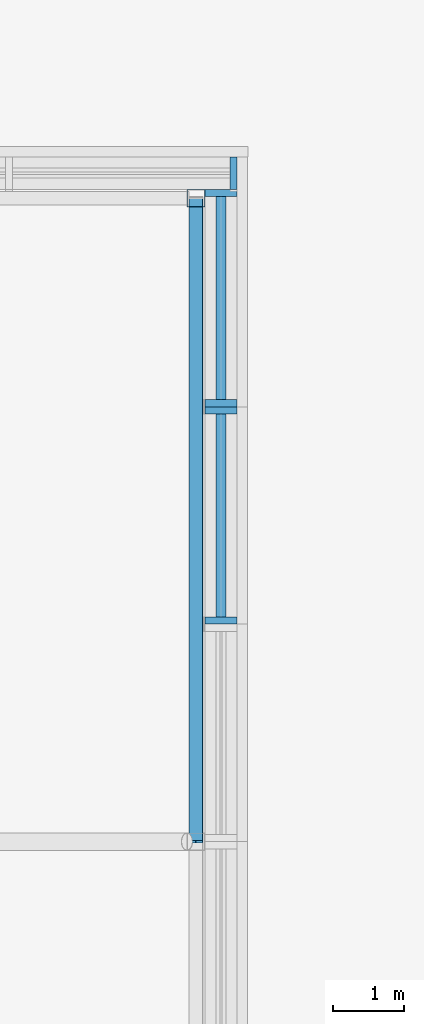
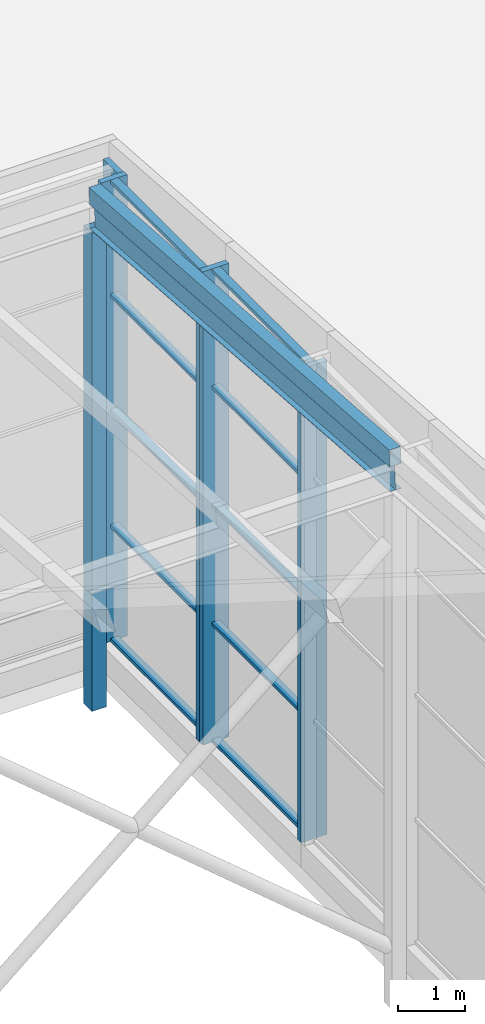
# One storey, part 48 of 84: 17 members, 1 beam, 3 elements without a shape of their own.
"""IFC4 building model written with IfcOpenShell, lengths in metres."""

from ifc_helpers import new_model, si_unit, direction, frame, origin, origin_2d, place, context, subcontext, project, spatial, rectangle, hollow_rectangle, i_section, extrude, material, material_profile, profile_set, type_object, element, aggregate, save


model = new_model("IFC4")

# Units and contexts
model_context = context("Model", 3, precision=1e-05, world=origin(), true_north=direction((0.0, 1.0)))
body_context = subcontext(model_context, "Body", "Model", "MODEL_VIEW")
ifc_project = project(units=[si_unit("LENGTHUNIT", "METRE"), si_unit("AREAUNIT", "SQUARE_METRE"), si_unit("VOLUMEUNIT", "CUBIC_METRE"), si_unit("PLANEANGLEUNIT", "RADIAN"), si_unit("MASSUNIT", "GRAM", prefix="KILO")], contexts=[model_context])

# Site, building, storey
site_placement = place(None, origin())
site = spatial("IfcSite", under=ifc_project, at=site_placement, CompositionType="ELEMENT")
building_placement = place(site_placement, origin())
building = spatial("IfcBuilding", under=site, at=building_placement, Name="Silverbay Arena", CompositionType="ELEMENT")
storey_placement = place(building_placement, frame((0.0, 0.0, 47.10009765625)))
storey = spatial("IfcBuildingStorey", under=building, at=storey_placement, Name="ROOF", CompositionType="ELEMENT", Elevation=47.10009765625)

# Curtain wall, member
ifc_material_1 = material(Name="Aluminium framed glazing", Category="aluminium")
curtain_wall_type_1 = type_object("IfcCurtainWallType", Name="Curtain wall crown 9575 x 8425", PredefinedType="NOTDEFINED", material=ifc_material_1)
curtain_wall_1_placement = place(storey_placement, origin())
curtain_wall_1 = element("IfcCurtainWall", 1, at=curtain_wall_1_placement, inside=storey, type_object=curtain_wall_type_1, Name="ROOF CROWN CURTAIN WALL north bay 11", PredefinedType="NOTDEFINED")
ifc_material_2 = material(Name="Aluminium", Category="aluminium")
ifc_material_profile_1 = material_profile(ifc_material_2, rectangle(XDim=0.449951171875, YDim=0.10009765625, at=origin_2d()), Name="Mullion 100 x 450")
ifc_profile_set_1 = profile_set([ifc_material_profile_1], Name="Aluminium")
member_type_1 = type_object("IfcMemberType", Name="Mullion 100 x 450", PredefinedType="MULLION", material=ifc_profile_set_1)
placement = place(building_placement, frame((0.0, 0.0, 33.5)))
member_1_placement = place(placement, frame((180.52490234375, 135.35009765625, 14.050048828125), z_axis=(0.0, 0.0, 1.0), x_axis=(0.0, 1.0, 0.0)))
member_1 = element("IfcMember", 2, at=member_1_placement, type_object=member_type_1, Name="CW61 mullion 4", PredefinedType="MULLION", context=body_context, shape_type="SweptSolid", body=[
    extrude(rectangle(XDim=0.449951171875, YDim=0.10009765625, at=origin_2d()), origin(), (0.0, 0.0, 1.0), 8.424560546875),
])
aggregate(curtain_wall_1, [member_1])

# Curtain wall, members
ifc_material_3 = material(Name="Aluminium framed glazing", Category="aluminium")
curtain_wall_type_2 = type_object("IfcCurtainWallType", Name="Curtain wall crown 3042 x 8661", PredefinedType="NOTDEFINED", material=ifc_material_3)
curtain_wall_2_placement = place(storey_placement, origin())
curtain_wall_2 = element("IfcCurtainWall", 3, at=curtain_wall_2_placement, inside=storey, type_object=curtain_wall_type_2, Name="ROOF CROWN CURTAIN WALL east bay 25", PredefinedType="NOTDEFINED")
member_2_placement = place(placement, frame((180.35009765625, 129.091552734375, 14.050048828125), z_axis=(0.0, 0.0, 1.0), x_axis=(-1.0, 0.0, 0.0)))
member_2 = element("IfcMember", 4, at=member_2_placement, type_object=member_type_1, Name="CW64 mullion 1", PredefinedType="MULLION", context=body_context, shape_type="SweptSolid", body=[
    extrude(rectangle(XDim=0.449951171875, YDim=0.10009765625, at=origin_2d()), origin(), (0.0, 0.0, 1.0), 8.66064453125),
])
member_3_placement = place(placement, frame((180.35009765625, 132.033447265625, 14.050048828125), z_axis=(0.0, 0.0, 1.0), x_axis=(-1.0, 0.0, 0.0)))
member_3 = element("IfcMember", 5, at=member_3_placement, type_object=member_type_1, Name="CW64 mullion 2", PredefinedType="MULLION", context=body_context, shape_type="SweptSolid", body=[
    extrude(rectangle(XDim=0.449951171875, YDim=0.10009765625, at=origin_2d()), origin(), (0.0, 0.0, 1.0), 8.66064453125),
])

ifc_material_4 = material(Name="Aluminium framed glazing", Category="aluminium")
curtain_wall_type_3 = type_object("IfcCurtainWallType", Name="Curtain wall crown 3042 x 8441", PredefinedType="NOTDEFINED", material=ifc_material_4)
curtain_wall_3_placement = place(storey_placement, origin())
curtain_wall_3 = element("IfcCurtainWall", 6, at=curtain_wall_3_placement, inside=storey, type_object=curtain_wall_type_3, Name="ROOF CROWN CURTAIN WALL east bay 26", PredefinedType="NOTDEFINED")
member_4_placement = place(placement, frame((180.35009765625, 132.13330078125, 14.050048828125), z_axis=(0.0, 0.0, 1.0), x_axis=(-1.0, 0.0, 0.0)))
member_4 = element("IfcMember", 7, at=member_4_placement, type_object=member_type_1, Name="CW63 mullion 1", PredefinedType="MULLION", context=body_context, shape_type="SweptSolid", body=[
    extrude(rectangle(XDim=0.449951171875, YDim=0.10009765625, at=origin_2d()), origin(), (0.0, 0.0, 1.0), 8.44091796875),
])
member_5_placement = place(placement, frame((180.35009765625, 135.074951171875, 14.050048828125), z_axis=(0.0, 0.0, 1.0), x_axis=(-1.0, 0.0, 0.0)))
member_5 = element("IfcMember", 8, at=member_5_placement, type_object=member_type_1, Name="CW63 mullion 2", PredefinedType="MULLION", context=body_context, shape_type="SweptSolid", body=[
    extrude(rectangle(XDim=0.449951171875, YDim=0.10009765625, at=origin_2d()), origin(), (0.0, 0.0, 1.0), 8.44091796875),
])

# Member
ifc_material_5 = material(Name="Steel S355", Category="steel")
ifc_material_profile_2 = material_profile(ifc_material_5, hollow_rectangle(XDim=0.199951171875, YDim=0.300048828125, WallThickness=0.008056640625, at=origin_2d()), Name="RHS 300x200x8")
ifc_profile_set_2 = profile_set([ifc_material_profile_2], Name="Steel S355")
member_type_2 = type_object("IfcMemberType", Name="Purlin RHS 300x200x8", PredefinedType="PURLIN", material=ifc_profile_set_2)
member_6_placement = place(storey_placement, frame((180.0, 126.0, 9.3994140625), z_axis=(0.0, 0.997402911363, -0.072023832195), x_axis=(-1.0, 0.0, 0.0)))
element("IfcMember", 9, at=member_6_placement, inside=storey, type_object=member_type_2, Name="ROOF PURLIN crown line 34 bay 12", PredefinedType="PURLIN", context=body_context, shape_type="SweptSolid", body=[
    extrude(hollow_rectangle(XDim=0.199951171875, YDim=0.300048828125, WallThickness=0.008056640625, at=origin_2d()), origin(), (0.0, 0.0, 1.0), 9.0234375),
])

# Beam
ifc_material_6 = material(Name="Steel S355", Category="steel")
ifc_material_profile_3 = material_profile(ifc_material_6, i_section(OverallWidth=0.18994140625, OverallDepth=0.453369140625, WebThickness=0.008544921875, FlangeThickness=0.0126953125, at=origin_2d()), Name="UB 457x191x67")
ifc_profile_set_3 = profile_set([ifc_material_profile_3], Name="Steel S355")
beam_type = type_object("IfcBeamType", Name="Ring beam UB 457x191x67", PredefinedType="BEAM", material=ifc_profile_set_3)
beam_placement = place(storey_placement, frame((180.0, 126.0, 9.0224609375), z_axis=(0.0, 0.997400967367, -0.07205074805), x_axis=(-1.0, 0.0, 0.0)))
element("IfcBeam", 10, at=beam_placement, inside=storey, type_object=beam_type, Name="RING BEAM crown east edge 12", PredefinedType="BEAM", context=body_context, shape_type="SweptSolid", body=[
    extrude(i_section(OverallWidth=0.18994140625, OverallDepth=0.453369140625, WebThickness=0.008544921875, FlangeThickness=0.0126953125, at=origin_2d()), origin(), (0.0, 0.0, 1.0), 9.0234375),
])

# Member
ifc_material_7 = material(Name="Steel S355", Category="steel")
ifc_material_profile_4 = material_profile(ifc_material_7, hollow_rectangle(XDim=0.25, YDim=0.25, WallThickness=0.008056640625, at=origin_2d()), Name="SHS 250x250x8")
ifc_profile_set_4 = profile_set([ifc_material_profile_4], Name="Steel S355")
member_type_3 = type_object("IfcMemberType", Name="Roof post SHS 250x250x8", PredefinedType="POST", material=ifc_profile_set_4)
member_7_placement = place(storey_placement, frame((180.0, 135.0, -0.60009765625), z_axis=(0.0, 0.0, 1.0), x_axis=(1.0, 0.0, 0.0)))
element("IfcMember", 11, at=member_7_placement, inside=storey, type_object=member_type_3, Name="ROOF CROWN POST 21 row 13", PredefinedType="POST", context=body_context, shape_type="SweptSolid", body=[
    extrude(hollow_rectangle(XDim=0.25, YDim=0.25, WallThickness=0.008056640625, at=origin_2d()), origin(), (0.0, 0.0, 1.0), 8.745849609375),
])

ifc_material_8 = material(Name="Aluminium", Category="aluminium")
ifc_material_profile_5 = material_profile(ifc_material_8, rectangle(XDim=0.139892578125, YDim=0.06005859375, at=origin_2d()), Name="Transom 60 x 140")
ifc_profile_set_5 = profile_set([ifc_material_profile_5], Name="Aluminium")
member_type_4 = type_object("IfcMemberType", Name="Transom 60 x 140", PredefinedType="USERDEFINED", material=ifc_profile_set_5)
member_8_placement = place(placement, frame((180.35009765625, 129.1416015625, 14.080078125), z_axis=(0.0, 1.0, 0.0), x_axis=(-1.0, 0.0, 0.0)))
member_8 = element("IfcMember", 12, at=member_8_placement, type_object=member_type_4, Name="CW64 transom 1.1", ObjectType="TRANSOM", PredefinedType="USERDEFINED", context=body_context, shape_type="SweptSolid", body=[
    extrude(rectangle(XDim=0.139892578125, YDim=0.06005859375, at=origin_2d()), origin(), (0.0, 0.0, 1.0), 2.841796875),
])

member_9_placement = place(placement, frame((180.35009765625, 129.1416015625, 16.215087890625), z_axis=(0.0, 1.0, 0.0), x_axis=(-1.0, 0.0, 0.0)))
member_9 = element("IfcMember", 13, at=member_9_placement, type_object=member_type_4, Name="CW64 transom 1.2", ObjectType="TRANSOM", PredefinedType="USERDEFINED", context=body_context, shape_type="SweptSolid", body=[
    extrude(rectangle(XDim=0.139892578125, YDim=0.06005859375, at=origin_2d()), origin(), (0.0, 0.0, 1.0), 2.841796875),
])

member_10_placement = place(placement, frame((180.35009765625, 129.1416015625, 18.38037109375), z_axis=(0.0, 1.0, 0.0), x_axis=(-1.0, 0.0, 0.0)))
member_10 = element("IfcMember", 14, at=member_10_placement, type_object=member_type_4, Name="CW64 transom 1.3", ObjectType="TRANSOM", PredefinedType="USERDEFINED", context=body_context, shape_type="SweptSolid", body=[
    extrude(rectangle(XDim=0.139892578125, YDim=0.06005859375, at=origin_2d()), origin(), (0.0, 0.0, 1.0), 2.841796875),
])

member_11_placement = place(placement, frame((180.35009765625, 129.1416015625, 20.54541015625), z_axis=(0.0, 1.0, 0.0), x_axis=(-1.0, 0.0, 0.0)))
member_11 = element("IfcMember", 15, at=member_11_placement, type_object=member_type_4, Name="CW64 transom 1.4", ObjectType="TRANSOM", PredefinedType="USERDEFINED", context=body_context, shape_type="SweptSolid", body=[
    extrude(rectangle(XDim=0.139892578125, YDim=0.06005859375, at=origin_2d()), origin(), (0.0, 0.0, 1.0), 2.841796875),
])

member_12_placement = place(placement, frame((180.35009765625, 129.1416015625, 22.6806640625), z_axis=(0.0, 1.0, 0.0), x_axis=(-1.0, 0.0, 0.0)))
member_12 = element("IfcMember", 16, at=member_12_placement, type_object=member_type_4, Name="CW64 transom 1.5", ObjectType="TRANSOM", PredefinedType="USERDEFINED", context=body_context, shape_type="SweptSolid", body=[
    extrude(rectangle(XDim=0.139892578125, YDim=0.06005859375, at=origin_2d()), origin(), (0.0, 0.0, 1.0), 2.841796875),
])

aggregate(curtain_wall_2, [member_2, member_3, member_8, member_9, member_10, member_11, member_12])

member_13_placement = place(placement, frame((180.35009765625, 132.183349609375, 14.080078125), z_axis=(0.0, 1.0, 0.0), x_axis=(-1.0, 0.0, 0.0)))
member_13 = element("IfcMember", 17, at=member_13_placement, type_object=member_type_4, Name="CW63 transom 1.1", ObjectType="TRANSOM", PredefinedType="USERDEFINED", context=body_context, shape_type="SweptSolid", body=[
    extrude(rectangle(XDim=0.139892578125, YDim=0.06005859375, at=origin_2d()), origin(), (0.0, 0.0, 1.0), 2.841552734375),
])

member_14_placement = place(placement, frame((180.35009765625, 132.183349609375, 16.16015625), z_axis=(0.0, 1.0, 0.0), x_axis=(-1.0, 0.0, 0.0)))
member_14 = element("IfcMember", 18, at=member_14_placement, type_object=member_type_4, Name="CW63 transom 1.2", ObjectType="TRANSOM", PredefinedType="USERDEFINED", context=body_context, shape_type="SweptSolid", body=[
    extrude(rectangle(XDim=0.139892578125, YDim=0.06005859375, at=origin_2d()), origin(), (0.0, 0.0, 1.0), 2.841552734375),
])

member_15_placement = place(placement, frame((180.35009765625, 132.183349609375, 18.2705078125), z_axis=(0.0, 1.0, 0.0), x_axis=(-1.0, 0.0, 0.0)))
member_15 = element("IfcMember", 19, at=member_15_placement, type_object=member_type_4, Name="CW63 transom 1.3", ObjectType="TRANSOM", PredefinedType="USERDEFINED", context=body_context, shape_type="SweptSolid", body=[
    extrude(rectangle(XDim=0.139892578125, YDim=0.06005859375, at=origin_2d()), origin(), (0.0, 0.0, 1.0), 2.841552734375),
])

member_16_placement = place(placement, frame((180.35009765625, 132.183349609375, 20.380615234375), z_axis=(0.0, 1.0, 0.0), x_axis=(-1.0, 0.0, 0.0)))
member_16 = element("IfcMember", 20, at=member_16_placement, type_object=member_type_4, Name="CW63 transom 1.4", ObjectType="TRANSOM", PredefinedType="USERDEFINED", context=body_context, shape_type="SweptSolid", body=[
    extrude(rectangle(XDim=0.139892578125, YDim=0.06005859375, at=origin_2d()), origin(), (0.0, 0.0, 1.0), 2.841552734375),
])

member_17_placement = place(placement, frame((180.35009765625, 132.183349609375, 22.4609375), z_axis=(0.0, 1.0, 0.0), x_axis=(-1.0, 0.0, 0.0)))
member_17 = element("IfcMember", 21, at=member_17_placement, type_object=member_type_4, Name="CW63 transom 1.5", ObjectType="TRANSOM", PredefinedType="USERDEFINED", context=body_context, shape_type="SweptSolid", body=[
    extrude(rectangle(XDim=0.139892578125, YDim=0.06005859375, at=origin_2d()), origin(), (0.0, 0.0, 1.0), 2.841552734375),
])

aggregate(curtain_wall_3, [member_4, member_5, member_13, member_14, member_15, member_16, member_17])

save(model, "model.ifc")
